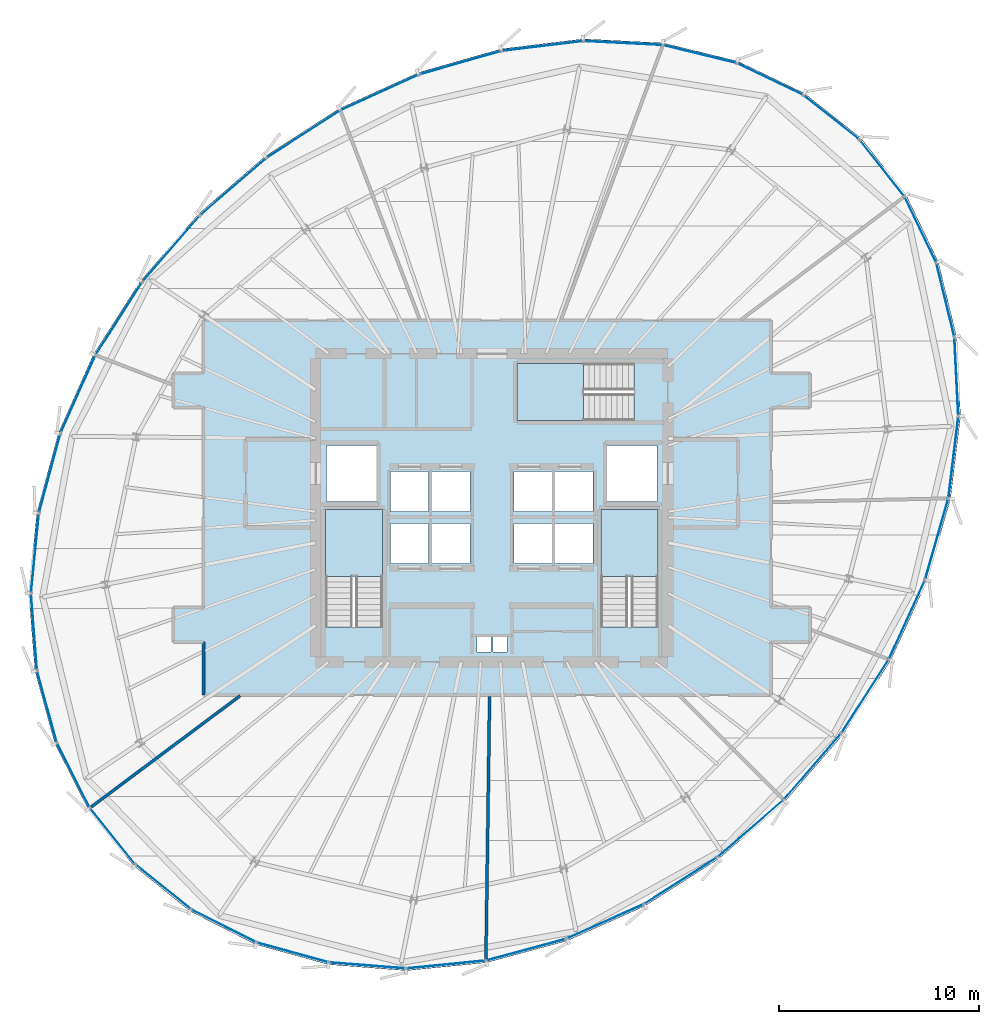
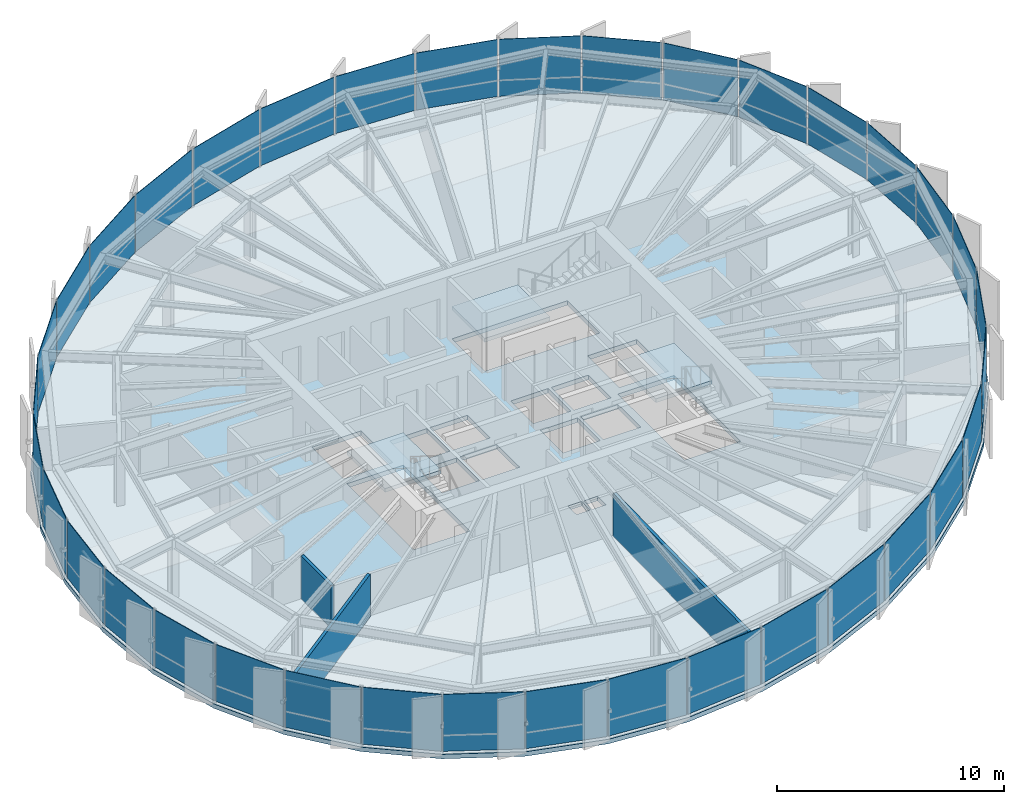
# One storey, part 28 of 34: 36 plates, 4 slabs, 3 walls, 9 elements without a shape of their own.
"""IFC4 building model written with IfcOpenShell, lengths in metres."""

from ifc_helpers import new_model, si_unit, direction, frame, frame_2d, origin, origin_2d, place, context, subcontext, project, spatial, polyline, rectangle, outline, extrude, source, transform, mapped, material, layer, layer_set, type_object, element, aggregate, save


model = new_model("IFC4")

# Units and contexts
model_context = context("Model", 3, precision=1e-05, world=origin(), true_north=direction((0.0, 1.0)))
body_context = subcontext(model_context, "Body", "Model", "MODEL_VIEW")
ifc_project = project(units=[si_unit("LENGTHUNIT", "METRE"), si_unit("AREAUNIT", "SQUARE_METRE"), si_unit("VOLUMEUNIT", "CUBIC_METRE"), si_unit("PLANEANGLEUNIT", "RADIAN"), si_unit("MASSUNIT", "GRAM", prefix="KILO"), si_unit("THERMODYNAMICTEMPERATUREUNIT", "KELVIN")], contexts=[model_context])

# Site, building, storey
site_placement = place(None, origin())
site = spatial("IfcSite", under=ifc_project, at=site_placement, CompositionType="ELEMENT")
building_placement = place(site_placement, origin())
building = spatial("IfcBuilding", under=site, at=building_placement, Name="Kethvar Cultural Tower", CompositionType="ELEMENT")
storey_placement = place(building_placement, frame((0.0, 0.0, 214.89990234375)))
storey = spatial("IfcBuildingStorey", under=building, at=storey_placement, Name="L56", CompositionType="ELEMENT", Elevation=214.89990234375)

# Stair, slab
ifc_material_1 = material(Name="Concrete C40/50", Category="concrete")
stair_type = type_object("IfcStairType", Name="ST-DOGLEG-135", PredefinedType="HALF_TURN_STAIR", material=ifc_material_1)
stair_1_placement = place(storey_placement, origin())
stair_1 = element("IfcStair", 1, at=stair_1_placement, inside=storey, type_object=stair_type, Name="L56 Core Exit Stair 1", PredefinedType="HALF_TURN_STAIR")
ifc_layer_1 = layer(ifc_material_1, 0.199951171875, Name="Concrete C40/50", Category="concrete")
ifc_layer_set_1 = layer_set([ifc_layer_1], Name="Concrete C40/50 (200 mm)")
slab_type_1 = type_object("IfcSlabType", Name="SL-STAIR-LANDING-200", PredefinedType="LANDING", material=ifc_layer_set_1)
slab_1_placement = place(storey_placement, frame((0.0, 0.0, 1.550048828125)))
slab_1 = element("IfcSlab", 2, at=slab_1_placement, type_object=slab_type_1, Name="ST-01 landing 1", PredefinedType="LANDING", context=body_context, shape_type="SweptSolid", body=[
    extrude(outline(polyline([(41.35009765625, 24.3701171875), (41.35009765625, 27.699951171875), (38.489990234375, 27.699951171875), (38.489990234375, 24.3701171875), (41.35009765625, 24.3701171875)])), origin(), (0.0, 0.0, 1.0), 0.199951171875),
])
aggregate(stair_1, [slab_1])

stair_2_placement = place(storey_placement, origin())
stair_2 = element("IfcStair", 3, at=stair_2_placement, inside=storey, type_object=stair_type, Name="L56 Core Exit Stair 2", PredefinedType="HALF_TURN_STAIR")
slab_2_placement = place(storey_placement, frame((0.0, 0.0, 1.550048828125)))
slab_2 = element("IfcSlab", 4, at=slab_2_placement, type_object=slab_type_1, Name="ST-02 landing 1", PredefinedType="LANDING", context=body_context, shape_type="SweptSolid", body=[
    extrude(outline(polyline([(55.110107421875, 24.3701171875), (55.110107421875, 27.699951171875), (52.25, 27.699951171875), (52.25, 24.3701171875), (55.110107421875, 24.3701171875)])), origin(), (0.0, 0.0, 1.0), 0.199951171875),
])
aggregate(stair_2, [slab_2])

stair_3_placement = place(storey_placement, origin())
stair_3 = element("IfcStair", 5, at=stair_3_placement, inside=storey, type_object=stair_type, Name="L56 Core Exit Stair 3", PredefinedType="HALF_TURN_STAIR")
slab_3_placement = place(storey_placement, frame((0.0, 0.0, 1.550048828125)))
slab_3 = element("IfcSlab", 6, at=slab_3_placement, type_object=slab_type_1, Name="ST-03 landing 1", PredefinedType="LANDING", context=body_context, shape_type="SweptSolid", body=[
    extrude(outline(polyline([(51.3798828125, 35.010009765625), (48.050048828125, 35.010009765625), (48.050048828125, 32.14990234375), (51.3798828125, 32.14990234375), (51.3798828125, 35.010009765625)])), origin(), (0.0, 0.0, 1.0), 0.199951171875),
])
aggregate(stair_3, [slab_3])

# Slab
ifc_layer_2 = layer(ifc_material_1, 0.239990234375, Name="Concrete C40/50", Category="concrete")
ifc_layer_set_2 = layer_set([ifc_layer_2], Name="Concrete C40/50 (240 mm)")
slab_type_2 = type_object("IfcSlabType", Name="SL-TOW-240", PredefinedType="FLOOR", material=ifc_layer_set_2)
slab_4_placement = place(storey_placement, frame((0.0, 0.0, -0.239990234375)))
element("IfcSlab", 7, at=slab_4_placement, inside=storey, type_object=slab_type_2, Name="L56 Structural Floor Slab", PredefinedType="FLOOR", context=body_context, shape_type="SweptSolid", body=[
    extrude(outline(polyline([(65.260498046875, 46.260498046875), (62.420166015625, 48.514892578125), (59.08251953125, 50.1171875), (55.357421875, 51.027099609375), (51.369384765625, 51.228271484375), (47.252197265625, 50.727783203125), (43.14306640625, 49.5517578125), (39.174072265625, 47.744140625), (35.467529296875, 45.361328125), (32.13037109375, 42.4697265625), (29.24560546875, 39.139404296875), (26.89453125, 35.464599609375), (25.148193359375, 31.556884765625), (24.059814453125, 27.53515625), (23.662109375, 23.521240234375), (23.9677734375, 19.637451171875), (24.967041015625, 16.001708984375), (26.629638671875, 12.724365234375), (28.905029296875, 9.905029296875), (31.724365234375, 7.629638671875), (35.001708984375, 5.967041015625), (38.637451171875, 4.9677734375), (42.521240234375, 4.662109375), (46.53515625, 5.059814453125), (50.556884765625, 6.148193359375), (54.464599609375, 7.89453125), (58.139404296875, 10.24560546875), (61.4697265625, 13.13037109375), (64.361328125, 16.467529296875), (66.744140625, 20.174072265625), (68.5517578125, 24.14306640625), (69.727783203125, 28.252197265625), (70.228271484375, 32.369384765625), (70.027099609375, 36.357421875), (69.1171875, 40.08251953125), (67.514892578125, 43.420166015625), (65.260498046875, 46.260498046875)]), holes=[polyline([(38.489990234375, 21.85009765625), (38.489990234375, 27.699951171875), (41.35009765625, 27.699951171875), (41.35009765625, 21.85009765625), (38.489990234375, 21.85009765625)]), polyline([(52.25, 21.85009765625), (52.25, 27.699951171875), (55.110107421875, 27.699951171875), (55.110107421875, 21.85009765625), (52.25, 21.85009765625)]), polyline([(53.89990234375, 32.14990234375), (48.050048828125, 32.14990234375), (48.050048828125, 35.010009765625), (53.89990234375, 35.010009765625), (53.89990234375, 32.14990234375)]), polyline([(41.75, 27.0), (43.64990234375, 27.0), (43.64990234375, 25.0), (41.75, 25.0), (41.75, 27.0)]), polyline([(43.800048828125, 27.0), (45.699951171875, 27.0), (45.699951171875, 25.0), (43.800048828125, 25.0), (43.800048828125, 27.0)]), polyline([(47.89990234375, 27.0), (49.800048828125, 27.0), (49.800048828125, 25.0), (47.89990234375, 25.0), (47.89990234375, 27.0)]), polyline([(49.949951171875, 27.0), (51.85009765625, 27.0), (51.85009765625, 25.0), (49.949951171875, 25.0), (49.949951171875, 27.0)]), polyline([(41.75, 29.60009765625), (43.64990234375, 29.60009765625), (43.64990234375, 27.60009765625), (41.75, 27.60009765625), (41.75, 29.60009765625)]), polyline([(43.800048828125, 29.60009765625), (45.699951171875, 29.60009765625), (45.699951171875, 27.60009765625), (43.800048828125, 27.60009765625), (43.800048828125, 29.60009765625)]), polyline([(47.89990234375, 29.60009765625), (49.800048828125, 29.60009765625), (49.800048828125, 27.60009765625), (47.89990234375, 27.60009765625), (47.89990234375, 29.60009765625)]), polyline([(49.949951171875, 29.60009765625), (51.85009765625, 29.60009765625), (51.85009765625, 27.60009765625), (49.949951171875, 27.60009765625), (49.949951171875, 29.60009765625)]), polyline([(38.550048828125, 30.89990234375), (41.050048828125, 30.89990234375), (41.050048828125, 28.10009765625), (38.550048828125, 28.10009765625), (38.550048828125, 30.89990234375)]), polyline([(52.550048828125, 30.89990234375), (55.050048828125, 30.89990234375), (55.050048828125, 28.10009765625), (52.550048828125, 28.10009765625), (52.550048828125, 30.89990234375)]), polyline([(46.050048828125, 21.35009765625), (46.75, 21.35009765625), (46.75, 20.60009765625), (46.050048828125, 20.60009765625), (46.050048828125, 21.35009765625)]), polyline([(46.85009765625, 21.35009765625), (47.550048828125, 21.35009765625), (47.550048828125, 20.60009765625), (46.85009765625, 20.60009765625), (46.85009765625, 21.35009765625)])]), origin(), (0.0, 0.0, 1.0), 0.239990234375),
])

# Curtain wall, plate
ifc_material_2 = material(Name="Aluminium 6063-T6", Category="aluminium")
ifc_layer_3 = layer(ifc_material_2, 0.179931640625, Name="Aluminium 6063-T6", Category="aluminium")
ifc_layer_set_3 = layer_set([ifc_layer_3], Name="Aluminium 6063-T6 (180 mm)")
curtain_wall_type = type_object("IfcCurtainWallType", Name="CW-SYS-04-Z34", PredefinedType="NOTDEFINED", material=ifc_layer_set_3)
curtain_wall_1_placement = place(storey_placement, origin())
curtain_wall_1 = element("IfcCurtainWall", 8, at=curtain_wall_1_placement, inside=storey, type_object=curtain_wall_type, Name="L56 Curtain Wall Run 01", PredefinedType="NOTDEFINED")
ifc_material_3 = material(Name="Insulated Low-E Solar Glass", Category="glass")
ifc_layer_4 = layer(ifc_material_3, 0.030029296875, Name="Insulated Low-E Solar Glass", Category="glass")
ifc_layer_set_4 = layer_set([ifc_layer_4], Name="Insulated Low-E Solar Glass (30 mm)")
plate_type = type_object("IfcPlateType", Name="CW-SYS-04-Z34-PNL", PredefinedType="CURTAIN_PANEL", material=ifc_layer_set_4)
shared_shape_1 = source(origin(), body_context, "Body", "SweptSolid", [
    extrude(rectangle(XDim=3.539794921875, YDim=0.030029296875, at=origin_2d()), origin(), (0.0, 0.0, 1.0), 3.06005859375),
])
plate_1_placement = place(storey_placement, frame((63.77197265625, 47.301513671875, 0.090087890625), z_axis=(0.0, 0.0, 1.0), x_axis=(-0.783292174211, 0.62165373788, 0.0)))
plate_1 = element("IfcPlate", 9, at=plate_1_placement, type_object=plate_type, Name="CW-L56-R01 Vision Glazing Panel 1", PredefinedType="CURTAIN_PANEL", context=body_context, shape_type="MappedRepresentation", body=[
    mapped(shared_shape_1, transform((0.0, 0.0, 0.0), scale=1.0)),
])

curtain_wall_2_placement = place(storey_placement, origin())
curtain_wall_2 = element("IfcCurtainWall", 10, at=curtain_wall_2_placement, inside=storey, type_object=curtain_wall_type, Name="L56 Curtain Wall Run 06", PredefinedType="NOTDEFINED")
plate_2_placement = place(storey_placement, frame((66.301513671875, 44.77197265625, 0.090087890625), z_axis=(0.0, 0.0, 1.0), x_axis=(-0.62165373788, 0.783292174211, 0.0)))
plate_2 = element("IfcPlate", 11, at=plate_2_placement, type_object=plate_type, Name="CW-L56-R06 Vision Glazing Panel 6", PredefinedType="CURTAIN_PANEL", context=body_context, shape_type="MappedRepresentation", body=[
    mapped(shared_shape_1, transform((0.0, 0.0, 0.0), scale=1.0)),
])

# Plate
shared_shape_2 = source(origin(), body_context, "Body", "SweptSolid", [
    extrude(rectangle(XDim=3.615966796875, YDim=0.030029296875, at=origin_2d()), origin(), (0.0, 0.0, 1.0), 3.06005859375),
])
plate_3_placement = place(storey_placement, frame((60.70361328125, 49.216796875, 0.090087890625), z_axis=(0.0, 0.0, 1.0), x_axis=(-0.901485335123, 0.432809647026, 0.0)))
plate_3 = element("IfcPlate", 12, at=plate_3_placement, type_object=plate_type, Name="CW-L56-R01 Vision Glazing Panel 2", PredefinedType="CURTAIN_PANEL", context=body_context, shape_type="MappedRepresentation", body=[
    mapped(shared_shape_2, transform((0.0, 0.0, 0.0), scale=1.0)),
])

plate_4_placement = place(storey_placement, frame((68.216796875, 41.70361328125, 0.090087890625), z_axis=(0.0, 0.0, 1.0), x_axis=(-0.432809647026, 0.901485335123, 0.0)))
plate_4 = element("IfcPlate", 13, at=plate_4_placement, type_object=plate_type, Name="CW-L56-R06 Vision Glazing Panel 5", PredefinedType="CURTAIN_PANEL", context=body_context, shape_type="MappedRepresentation", body=[
    mapped(shared_shape_2, transform((0.0, 0.0, 0.0), scale=1.0)),
])

shared_shape_3 = source(origin(), body_context, "Body", "SweptSolid", [
    extrude(rectangle(XDim=3.748291015625, YDim=0.030029296875, at=origin_2d()), origin(), (0.0, 0.0, 1.0), 3.06005859375),
])
plate_5_placement = place(storey_placement, frame((57.19384765625, 50.46533203125, 0.090087890625), z_axis=(0.0, 0.0, 1.0), x_axis=(-0.971441546228, 0.237278996671, 0.0)))
plate_5 = element("IfcPlate", 14, at=plate_5_placement, type_object=plate_type, Name="CW-L56-R01 Vision Glazing Panel 3", PredefinedType="CURTAIN_PANEL", context=body_context, shape_type="MappedRepresentation", body=[
    mapped(shared_shape_3, transform((0.0, 0.0, 0.0), scale=1.0)),
])

plate_6_placement = place(storey_placement, frame((69.46533203125, 38.19384765625, 0.090087890625), z_axis=(0.0, 0.0, 1.0), x_axis=(-0.237278996671, 0.971441546228, 0.0)))
plate_6 = element("IfcPlate", 15, at=plate_6_placement, type_object=plate_type, Name="CW-L56-R06 Vision Glazing Panel 4", PredefinedType="CURTAIN_PANEL", context=body_context, shape_type="MappedRepresentation", body=[
    mapped(shared_shape_3, transform((0.0, 0.0, 0.0), scale=1.0)),
])

shared_shape_4 = source(origin(), body_context, "Body", "SweptSolid", [
    extrude(rectangle(XDim=3.90673828125, YDim=0.030029296875, at=origin_2d()), origin(), (0.0, 0.0, 1.0), 3.06005859375),
])
plate_7_placement = place(storey_placement, frame((53.357666015625, 51.017822265625, 0.090087890625), z_axis=(0.0, 0.0, 1.0), x_axis=(-0.99872993144, 0.050383767676, 0.0)))
plate_7 = element("IfcPlate", 16, at=plate_7_placement, type_object=plate_type, Name="CW-L56-R01 Vision Glazing Panel 4", PredefinedType="CURTAIN_PANEL", context=body_context, shape_type="MappedRepresentation", body=[
    mapped(shared_shape_4, transform((0.0, 0.0, 0.0), scale=1.0)),
])

plate_8_placement = place(storey_placement, frame((70.017822265625, 34.357666015625, 0.090087890625), z_axis=(0.0, 0.0, 1.0), x_axis=(-0.050383767676, 0.99872993144, 0.0)))
plate_8 = element("IfcPlate", 17, at=plate_8_placement, type_object=plate_type, Name="CW-L56-R06 Vision Glazing Panel 3", PredefinedType="CURTAIN_PANEL", context=body_context, shape_type="MappedRepresentation", body=[
    mapped(shared_shape_4, transform((0.0, 0.0, 0.0), scale=1.0)),
])

shared_shape_5 = source(origin(), body_context, "Body", "SweptSolid", [
    extrude(rectangle(XDim=4.060791015625, YDim=0.030029296875, at=origin_2d()), origin(), (0.0, 0.0, 1.0), 3.06005859375),
])
plate_9_placement = place(storey_placement, frame((49.32421875, 50.868896484375, 0.090087890625), z_axis=(0.0, 0.0, 1.0), x_axis=(-0.992687983418, -0.120708606058, 0.0)))
plate_9 = element("IfcPlate", 18, at=plate_9_placement, type_object=plate_type, Name="CW-L56-R01 Vision Glazing Panel 5", PredefinedType="CURTAIN_PANEL", context=body_context, shape_type="MappedRepresentation", body=[
    mapped(shared_shape_5, transform((0.0, 0.0, 0.0), scale=1.0)),
])

plate_10_placement = place(storey_placement, frame((69.868896484375, 30.32421875, 0.090087890625), z_axis=(0.0, 0.0, 1.0), x_axis=(0.120708606058, 0.992687983418, 0.0)))
plate_10 = element("IfcPlate", 19, at=plate_10_placement, type_object=plate_type, Name="CW-L56-R06 Vision Glazing Panel 2", PredefinedType="CURTAIN_PANEL", context=body_context, shape_type="MappedRepresentation", body=[
    mapped(shared_shape_5, transform((0.0, 0.0, 0.0), scale=1.0)),
])

shared_shape_6 = source(origin(), body_context, "Body", "SweptSolid", [
    extrude(rectangle(XDim=4.187744140625, YDim=0.030029296875, at=origin_2d()), origin(), (0.0, 0.0, 1.0), 3.06005859375),
])
plate_11_placement = place(storey_placement, frame((45.227783203125, 50.033935546875, 0.090087890625), z_axis=(0.0, 0.0, 1.0), x_axis=(-0.961410689394, -0.275117222869, 0.0)))
plate_11 = element("IfcPlate", 20, at=plate_11_placement, type_object=plate_type, Name="CW-L56-R01 Vision Glazing Panel 6", PredefinedType="CURTAIN_PANEL", context=body_context, shape_type="MappedRepresentation", body=[
    mapped(shared_shape_6, transform((0.0, 0.0, 0.0), scale=1.0)),
])

aggregate(curtain_wall_1, [plate_1, plate_3, plate_5, plate_7, plate_9, plate_11])

plate_12_placement = place(storey_placement, frame((69.033935546875, 26.227783203125, 0.090087890625), z_axis=(0.0, 0.0, 1.0), x_axis=(0.275117222869, 0.961410689394, 0.0)))
plate_12 = element("IfcPlate", 21, at=plate_12_placement, type_object=plate_type, Name="CW-L56-R06 Vision Glazing Panel 1", PredefinedType="CURTAIN_PANEL", context=body_context, shape_type="MappedRepresentation", body=[
    mapped(shared_shape_6, transform((0.0, 0.0, 0.0), scale=1.0)),
])

aggregate(curtain_wall_2, [plate_12, plate_10, plate_8, plate_6, plate_4, plate_2])

# Curtain wall, plate
curtain_wall_3_placement = place(storey_placement, origin())
curtain_wall_3 = element("IfcCurtainWall", 22, at=curtain_wall_3_placement, inside=storey, type_object=curtain_wall_type, Name="L56 Curtain Wall Run 02", PredefinedType="NOTDEFINED")
shared_shape_7 = source(origin(), body_context, "Body", "SweptSolid", [
    extrude(rectangle(XDim=4.27490234375, YDim=0.030029296875, at=origin_2d()), origin(), (0.0, 0.0, 1.0), 3.06005859375),
])
plate_13_placement = place(storey_placement, frame((41.2041015625, 48.5478515625, 0.090087890625), z_axis=(0.0, 0.0, 1.0), x_axis=(-0.910069806128, -0.414455001144, 0.0)))
plate_13 = element("IfcPlate", 23, at=plate_13_placement, type_object=plate_type, Name="CW-L56-R02 Vision Glazing Panel 1", PredefinedType="CURTAIN_PANEL", context=body_context, shape_type="MappedRepresentation", body=[
    mapped(shared_shape_7, transform((0.0, 0.0, 0.0), scale=1.0)),
])

curtain_wall_4_placement = place(storey_placement, origin())
curtain_wall_4 = element("IfcCurtainWall", 24, at=curtain_wall_4_placement, inside=storey, type_object=curtain_wall_type, Name="L56 Curtain Wall Run 05", PredefinedType="NOTDEFINED")
plate_14_placement = place(storey_placement, frame((67.5478515625, 22.2041015625, 0.090087890625), z_axis=(0.0, 0.0, 1.0), x_axis=(0.414455001144, 0.910069806128, 0.0)))
plate_14 = element("IfcPlate", 25, at=plate_14_placement, type_object=plate_type, Name="CW-L56-R05 Vision Glazing Panel 6", PredefinedType="CURTAIN_PANEL", context=body_context, shape_type="MappedRepresentation", body=[
    mapped(shared_shape_7, transform((0.0, 0.0, 0.0), scale=1.0)),
])

# Plate
shared_shape_8 = source(origin(), body_context, "Body", "SweptSolid", [
    extrude(rectangle(XDim=4.31982421875, YDim=0.030029296875, at=origin_2d()), origin(), (0.0, 0.0, 1.0), 3.06005859375),
])
plate_15_placement = place(storey_placement, frame((37.38037109375, 46.460205078125, 0.090087890625), z_axis=(0.0, 0.0, 1.0), x_axis=(-0.841171172856, -0.540768950622, 0.0)))
plate_15 = element("IfcPlate", 26, at=plate_15_placement, type_object=plate_type, Name="CW-L56-R02 Vision Glazing Panel 2", PredefinedType="CURTAIN_PANEL", context=body_context, shape_type="MappedRepresentation", body=[
    mapped(shared_shape_8, transform((0.0, 0.0, 0.0), scale=1.0)),
])

plate_16_placement = place(storey_placement, frame((65.460205078125, 18.38037109375, 0.090087890625), z_axis=(0.0, 0.0, 1.0), x_axis=(0.540768950622, 0.841171172856, 0.0)))
plate_16 = element("IfcPlate", 27, at=plate_16_placement, type_object=plate_type, Name="CW-L56-R05 Vision Glazing Panel 5", PredefinedType="CURTAIN_PANEL", context=body_context, shape_type="MappedRepresentation", body=[
    mapped(shared_shape_8, transform((0.0, 0.0, 0.0), scale=1.0)),
])

shared_shape_9 = source(origin(), body_context, "Body", "SweptSolid", [
    extrude(rectangle(XDim=4.329345703125, YDim=0.030029296875, at=origin_2d()), origin(), (0.0, 0.0, 1.0), 3.06005859375),
])
plate_17_placement = place(storey_placement, frame((33.87109375, 43.83251953125, 0.090087890625), z_axis=(0.0, 0.0, 1.0), x_axis=(-0.755762042736, -0.654846344388, 0.0)))
plate_17 = element("IfcPlate", 28, at=plate_17_placement, type_object=plate_type, Name="CW-L56-R02 Vision Glazing Panel 3", PredefinedType="CURTAIN_PANEL", context=body_context, shape_type="MappedRepresentation", body=[
    mapped(shared_shape_9, transform((0.0, 0.0, 0.0), scale=1.0)),
])

plate_18_placement = place(storey_placement, frame((62.83251953125, 14.87109375, 0.090087890625), z_axis=(0.0, 0.0, 1.0), x_axis=(0.654846344388, 0.755762042736, 0.0)))
plate_18 = element("IfcPlate", 29, at=plate_18_placement, type_object=plate_type, Name="CW-L56-R05 Vision Glazing Panel 4", PredefinedType="CURTAIN_PANEL", context=body_context, shape_type="MappedRepresentation", body=[
    mapped(shared_shape_9, transform((0.0, 0.0, 0.0), scale=1.0)),
])

shared_shape_10 = source(origin(), body_context, "Body", "SweptSolid", [
    extrude(rectangle(XDim=4.319580078125, YDim=0.030029296875, at=origin_2d()), origin(), (0.0, 0.0, 1.0), 3.06005859375),
])
plate_19_placement = place(storey_placement, frame((30.77099609375, 40.732666015625, 0.090087890625), z_axis=(0.0, 0.0, 1.0), x_axis=(-0.654727621486, -0.755864896435, 0.0)))
plate_19 = element("IfcPlate", 30, at=plate_19_placement, type_object=plate_type, Name="CW-L56-R02 Vision Glazing Panel 4", PredefinedType="CURTAIN_PANEL", context=body_context, shape_type="MappedRepresentation", body=[
    mapped(shared_shape_10, transform((0.0, 0.0, 0.0), scale=1.0)),
])

plate_20_placement = place(storey_placement, frame((59.732666015625, 11.771240234375, 0.090087890625), z_axis=(0.0, 0.0, 1.0), x_axis=(0.755864896435, 0.654727621486, 0.0)))
plate_20 = element("IfcPlate", 31, at=plate_20_placement, type_object=plate_type, Name="CW-L56-R05 Vision Glazing Panel 3", PredefinedType="CURTAIN_PANEL", context=body_context, shape_type="MappedRepresentation", body=[
    mapped(shared_shape_10, transform((0.0, 0.0, 0.0), scale=1.0)),
])

shared_shape_11 = source(origin(), body_context, "Body", "SweptSolid", [
    extrude(rectangle(XDim=4.276123046875, YDim=0.030029296875, at=origin_2d()), origin(), (0.0, 0.0, 1.0), 3.06005859375),
])
plate_21_placement = place(storey_placement, frame((28.162841796875, 37.242919921875, 0.090087890625), z_axis=(0.0, 0.0, 1.0), x_axis=(-0.538947216006, -0.842339538642, 0.0)))
plate_21 = element("IfcPlate", 32, at=plate_21_placement, type_object=plate_type, Name="CW-L56-R02 Vision Glazing Panel 5", PredefinedType="CURTAIN_PANEL", context=body_context, shape_type="MappedRepresentation", body=[
    mapped(shared_shape_11, transform((0.0, 0.0, 0.0), scale=1.0)),
])

plate_22_placement = place(storey_placement, frame((56.242919921875, 9.16259765625, 0.090087890625), z_axis=(0.0, 0.0, 1.0), x_axis=(0.842339538642, 0.538947216006, 0.0)))
plate_22 = element("IfcPlate", 33, at=plate_22_placement, type_object=plate_type, Name="CW-L56-R05 Vision Glazing Panel 2", PredefinedType="CURTAIN_PANEL", context=body_context, shape_type="MappedRepresentation", body=[
    mapped(shared_shape_11, transform((0.0, 0.0, 0.0), scale=1.0)),
])

shared_shape_12 = source(origin(), body_context, "Body", "SweptSolid", [
    extrude(rectangle(XDim=4.19384765625, YDim=0.030029296875, at=origin_2d()), origin(), (0.0, 0.0, 1.0), 3.06005859375),
])
plate_23_placement = place(storey_placement, frame((26.121826171875, 33.4658203125, 0.090087890625), z_axis=(0.0, 0.0, 1.0), x_axis=(-0.407995861762, -0.912983776847, 0.0)))
plate_23 = element("IfcPlate", 34, at=plate_23_placement, type_object=plate_type, Name="CW-L56-R02 Vision Glazing Panel 6", PredefinedType="CURTAIN_PANEL", context=body_context, shape_type="MappedRepresentation", body=[
    mapped(shared_shape_12, transform((0.0, 0.0, 0.0), scale=1.0)),
])

aggregate(curtain_wall_3, [plate_13, plate_15, plate_17, plate_19, plate_21, plate_23])

plate_24_placement = place(storey_placement, frame((52.4658203125, 7.121826171875, 0.090087890625), z_axis=(0.0, 0.0, 1.0), x_axis=(0.912983776847, 0.407995861762, 0.0)))
plate_24 = element("IfcPlate", 35, at=plate_24_placement, type_object=plate_type, Name="CW-L56-R05 Vision Glazing Panel 1", PredefinedType="CURTAIN_PANEL", context=body_context, shape_type="MappedRepresentation", body=[
    mapped(shared_shape_12, transform((0.0, 0.0, 0.0), scale=1.0)),
])

aggregate(curtain_wall_4, [plate_24, plate_22, plate_20, plate_18, plate_16, plate_14])

# Curtain wall, plate
curtain_wall_5_placement = place(storey_placement, origin())
curtain_wall_5 = element("IfcCurtainWall", 36, at=curtain_wall_5_placement, inside=storey, type_object=curtain_wall_type, Name="L56 Curtain Wall Run 03", PredefinedType="NOTDEFINED")
shared_shape_13 = source(origin(), body_context, "Body", "SweptSolid", [
    extrude(rectangle(XDim=4.080078125, YDim=0.030029296875, at=origin_2d()), origin(), (0.0, 0.0, 1.0), 3.06005859375),
])
plate_25_placement = place(storey_placement, frame((24.710205078125, 29.517333984375, 0.090087890625), z_axis=(0.0, 0.0, 1.0), x_axis=(-0.26124586151, -0.965272293109, 0.0)))
plate_25 = element("IfcPlate", 37, at=plate_25_placement, type_object=plate_type, Name="CW-L56-R03 Vision Glazing Panel 1", PredefinedType="CURTAIN_PANEL", context=body_context, shape_type="MappedRepresentation", body=[
    mapped(shared_shape_13, transform((0.0, 0.0, 0.0), scale=1.0)),
])

curtain_wall_6_placement = place(storey_placement, origin())
curtain_wall_6 = element("IfcCurtainWall", 38, at=curtain_wall_6_placement, inside=storey, type_object=curtain_wall_type, Name="L56 Curtain Wall Run 04", PredefinedType="NOTDEFINED")
plate_26_placement = place(storey_placement, frame((48.517333984375, 5.710205078125, 0.090087890625), z_axis=(0.0, 0.0, 1.0), x_axis=(0.965272293109, 0.26124586151, 0.0)))
plate_26 = element("IfcPlate", 39, at=plate_26_placement, type_object=plate_type, Name="CW-L56-R04 Vision Glazing Panel 6", PredefinedType="CURTAIN_PANEL", context=body_context, shape_type="MappedRepresentation", body=[
    mapped(shared_shape_13, transform((0.0, 0.0, 0.0), scale=1.0)),
])

# Plate
shared_shape_14 = source(origin(), body_context, "Body", "SweptSolid", [
    extrude(rectangle(XDim=3.947021484375, YDim=0.030029296875, at=origin_2d()), origin(), (0.0, 0.0, 1.0), 3.06005859375),
])
plate_27_placement = place(storey_placement, frame((23.970458984375, 25.517333984375, 0.090087890625), z_axis=(0.0, 0.0, 1.0), x_axis=(-0.098555572711, -0.995131548634, 0.0)))
plate_27 = element("IfcPlate", 40, at=plate_27_placement, type_object=plate_type, Name="CW-L56-R03 Vision Glazing Panel 2", PredefinedType="CURTAIN_PANEL", context=body_context, shape_type="MappedRepresentation", body=[
    mapped(shared_shape_14, transform((0.0, 0.0, 0.0), scale=1.0)),
])

plate_28_placement = place(storey_placement, frame((44.517333984375, 4.970458984375, 0.090087890625), z_axis=(0.0, 0.0, 1.0), x_axis=(0.995131548634, 0.098555572711, 0.0)))
plate_28 = element("IfcPlate", 41, at=plate_28_placement, type_object=plate_type, Name="CW-L56-R04 Vision Glazing Panel 5", PredefinedType="CURTAIN_PANEL", context=body_context, shape_type="MappedRepresentation", body=[
    mapped(shared_shape_14, transform((0.0, 0.0, 0.0), scale=1.0)),
])

shared_shape_15 = source(origin(), body_context, "Body", "SweptSolid", [
    extrude(rectangle(XDim=3.809326171875, YDim=0.030029296875, at=origin_2d()), origin(), (0.0, 0.0, 1.0), 3.06005859375),
])
plate_29_placement = place(storey_placement, frame((23.924560546875, 21.587890625, 0.090087890625), z_axis=(0.0, 0.0, 1.0), x_axis=(0.0784242967, -0.996920071865, 0.0)))
plate_29 = element("IfcPlate", 42, at=plate_29_placement, type_object=plate_type, Name="CW-L56-R03 Vision Glazing Panel 3", PredefinedType="CURTAIN_PANEL", context=body_context, shape_type="MappedRepresentation", body=[
    mapped(shared_shape_15, transform((0.0, 0.0, 0.0), scale=1.0)),
])

plate_30_placement = place(storey_placement, frame((40.587890625, 4.924560546875, 0.090087890625), z_axis=(0.0, 0.0, 1.0), x_axis=(0.996920071865, -0.0784242967, 0.0)))
plate_30 = element("IfcPlate", 43, at=plate_30_placement, type_object=plate_type, Name="CW-L56-R04 Vision Glazing Panel 4", PredefinedType="CURTAIN_PANEL", context=body_context, shape_type="MappedRepresentation", body=[
    mapped(shared_shape_15, transform((0.0, 0.0, 0.0), scale=1.0)),
])

shared_shape_16 = source(origin(), body_context, "Body", "SweptSolid", [
    extrude(rectangle(XDim=3.68408203125, YDim=0.030029296875, at=origin_2d()), origin(), (0.0, 0.0, 1.0), 3.06005859375),
])
plate_31_placement = place(storey_placement, frame((24.573486328125, 17.848876953125, 0.090087890625), z_axis=(0.0, 0.0, 1.0), x_axis=(0.265017623646, -0.964243568377, 0.0)))
plate_31 = element("IfcPlate", 44, at=plate_31_placement, type_object=plate_type, Name="CW-L56-R03 Vision Glazing Panel 4", PredefinedType="CURTAIN_PANEL", context=body_context, shape_type="MappedRepresentation", body=[
    mapped(shared_shape_16, transform((0.0, 0.0, 0.0), scale=1.0)),
])

plate_32_placement = place(storey_placement, frame((36.8486328125, 5.573486328125, 0.090087890625), z_axis=(0.0, 0.0, 1.0), x_axis=(0.964243568377, -0.265017623646, 0.0)))
plate_32 = element("IfcPlate", 45, at=plate_32_placement, type_object=plate_type, Name="CW-L56-R04 Vision Glazing Panel 3", PredefinedType="CURTAIN_PANEL", context=body_context, shape_type="MappedRepresentation", body=[
    mapped(shared_shape_16, transform((0.0, 0.0, 0.0), scale=1.0)),
])

shared_shape_17 = source(origin(), body_context, "Body", "SweptSolid", [
    extrude(rectangle(XDim=3.58837890625, YDim=0.030029296875, at=origin_2d()), origin(), (0.0, 0.0, 1.0), 3.06005859375),
])
plate_33_placement = place(storey_placement, frame((25.896484375, 14.412841796875, 0.090087890625), z_axis=(0.0, 0.0, 1.0), x_axis=(0.45241914444, -0.891805425945, 0.0)))
plate_33 = element("IfcPlate", 46, at=plate_33_placement, type_object=plate_type, Name="CW-L56-R03 Vision Glazing Panel 5", PredefinedType="CURTAIN_PANEL", context=body_context, shape_type="MappedRepresentation", body=[
    mapped(shared_shape_17, transform((0.0, 0.0, 0.0), scale=1.0)),
])

plate_34_placement = place(storey_placement, frame((33.412841796875, 6.896484375, 0.090087890625), z_axis=(0.0, 0.0, 1.0), x_axis=(0.891805425945, -0.45241914444, 0.0)))
plate_34 = element("IfcPlate", 47, at=plate_34_placement, type_object=plate_type, Name="CW-L56-R04 Vision Glazing Panel 2", PredefinedType="CURTAIN_PANEL", context=body_context, shape_type="MappedRepresentation", body=[
    mapped(shared_shape_17, transform((0.0, 0.0, 0.0), scale=1.0)),
])

shared_shape_18 = source(origin(), body_context, "Body", "SweptSolid", [
    extrude(rectangle(XDim=3.53662109375, YDim=0.030029296875, at=origin_2d()), origin(), (0.0, 0.0, 1.0), 3.06005859375),
])
plate_35_placement = place(storey_placement, frame((27.852783203125, 11.3837890625, 0.090087890625), z_axis=(0.0, 0.0, 1.0), x_axis=(0.62807171477, -0.778155460757, 0.0)))
plate_35 = element("IfcPlate", 48, at=plate_35_placement, type_object=plate_type, Name="CW-L56-R03 Vision Glazing Panel 6", PredefinedType="CURTAIN_PANEL", context=body_context, shape_type="MappedRepresentation", body=[
    mapped(shared_shape_18, transform((0.0, 0.0, 0.0), scale=1.0)),
])

aggregate(curtain_wall_5, [plate_25, plate_27, plate_29, plate_31, plate_33, plate_35])

plate_36_placement = place(storey_placement, frame((30.3837890625, 8.852783203125, 0.090087890625), z_axis=(0.0, 0.0, 1.0), x_axis=(0.778155460757, -0.62807171477, 0.0)))
plate_36 = element("IfcPlate", 49, at=plate_36_placement, type_object=plate_type, Name="CW-L56-R04 Vision Glazing Panel 1", PredefinedType="CURTAIN_PANEL", context=body_context, shape_type="MappedRepresentation", body=[
    mapped(shared_shape_18, transform((0.0, 0.0, 0.0), scale=1.0)),
])

aggregate(curtain_wall_6, [plate_36, plate_34, plate_32, plate_30, plate_28, plate_26])

# Walls
ifc_material_4 = material(Name="Gypsum Fireboard Partition")
ifc_layer_5 = layer(ifc_material_4, 0.14990234375, Name="Gypsum Fireboard Partition")
ifc_layer_set_5 = layer_set([ifc_layer_5], Name="Gypsum Fireboard Partition (150 mm)")
wall_type_1 = type_object("IfcWallType", Name="WL-FIRE-150", PredefinedType="PARTITIONING", material=ifc_layer_set_5)
wall_1_placement = place(storey_placement, frame((32.39990234375, 21.10009765625, 0.0), z_axis=(0.0, 0.0, 1.0), x_axis=(0.0, -1.0, 0.0)))
element("IfcWall", 50, at=wall_1_placement, inside=storey, type_object=wall_type_1, Name="L56 Corridor Rated Wall W1", PredefinedType="PARTITIONING", context=body_context, shape_type="SweptSolid", body=[
    extrude(rectangle(XDim=2.650146484375, YDim=0.14990234375, at=frame_2d((1.3251953125, 0.0))), origin(), (0.0, 0.0, 1.0), 2.295166015625),
])
ifc_material_5 = material(Name="Gypsum Acoustic Partition")
ifc_layer_6 = layer(ifc_material_5, 0.14990234375, Name="Gypsum Acoustic Partition")
ifc_layer_set_6 = layer_set([ifc_layer_6], Name="Gypsum Acoustic Partition (150 mm)")
wall_type_2 = type_object("IfcWallType", Name="WL-PART-150", PredefinedType="PARTITIONING", material=ifc_layer_set_6)
wall_2_placement = place(storey_placement, frame((34.22607421875, 18.402099609375, 0.0), z_axis=(0.0, 0.0, 1.0), x_axis=(-0.801249258775, -0.598330698956, 0.0)))
element("IfcWall", 51, at=wall_2_placement, inside=storey, type_object=wall_type_2, Name="L56 Radial Partition Wall 01", PredefinedType="PARTITIONING", context=body_context, shape_type="SweptSolid", body=[
    extrude(rectangle(XDim=9.27392578125, YDim=0.14990234375, at=frame_2d((4.636962890625, 0.0))), origin(), (0.0, 0.0, 1.0), 2.295166015625),
])
wall_3_placement = place(storey_placement, frame((46.68994140625, 18.3701171875, 0.0), z_axis=(0.0, 0.0, 1.0), x_axis=(-0.013897120802, -0.999903430354, 0.0)))
element("IfcWall", 52, at=wall_3_placement, inside=storey, type_object=wall_type_2, Name="L56 Radial Partition Wall 02", PredefinedType="PARTITIONING", context=body_context, shape_type="SweptSolid", body=[
    extrude(rectangle(XDim=13.10546875, YDim=0.14990234375, at=frame_2d((6.552734375, 0.0))), origin(), (0.0, 0.0, 1.0), 2.295166015625),
])

save(model, "model.ifc")
